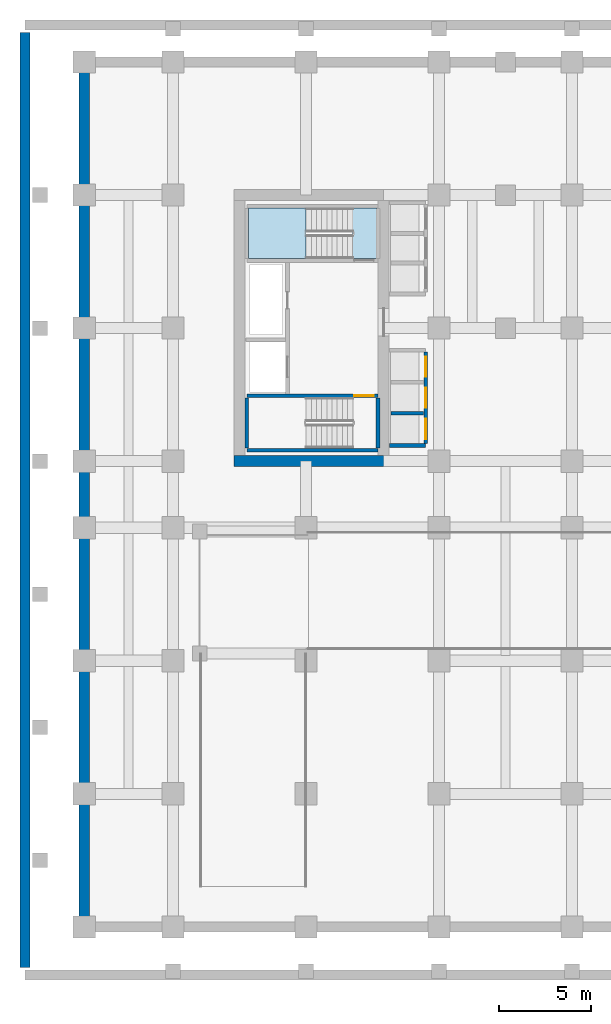
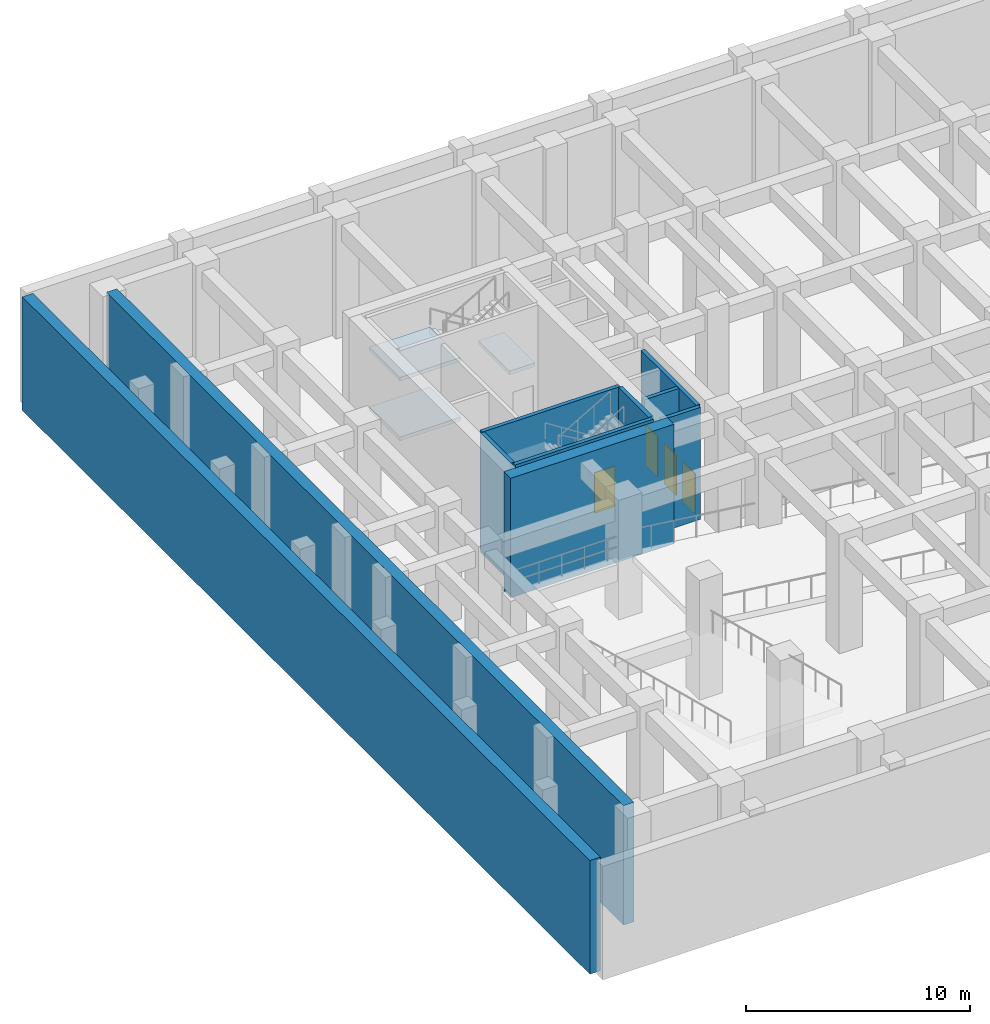
# One storey, part 3 of 13: 10 walls, 4 doors, 3 slabs, 4 openings, 1 element without a shape of its own.
"""IFC4 building model written with IfcOpenShell, lengths in metres."""

from ifc_helpers import new_model, si_unit, derived_unit, direction, frame, frame_2d, origin, place, context, subcontext, project, spatial, polyline, rectangle, outline, extrude, source, transform, mapped, material, layer, layer_set, type_object, type_shapes, element, fill, aggregate, save


model = new_model("IFC4")

# Units and contexts
model_context = context("Model", 3, precision=1e-05, world=origin(), true_north=direction((0.0, 1.0)))
body_context = subcontext(model_context, "Body", "Model", "MODEL_VIEW")
ifc_project = project(units=[si_unit("LENGTHUNIT", "METRE"), si_unit("AREAUNIT", "SQUARE_METRE"), si_unit("VOLUMEUNIT", "CUBIC_METRE"), si_unit("PLANEANGLEUNIT", "RADIAN"), si_unit("MASSUNIT", "GRAM", prefix="KILO"), si_unit("THERMODYNAMICTEMPERATUREUNIT", "KELVIN"), si_unit("POWERUNIT", "WATT"), derived_unit("THERMALTRANSMITTANCEUNIT", [(si_unit("POWERUNIT", "WATT"), 1), (si_unit("AREAUNIT", "SQUARE_METRE"), -1), (si_unit("THERMODYNAMICTEMPERATUREUNIT", "KELVIN"), -1)])], contexts=[model_context])

# Site, building, storey
site_placement = place(None, origin())
site = spatial("IfcSite", under=ifc_project, at=site_placement, CompositionType="ELEMENT")
building_placement = place(site_placement, origin())
building = spatial("IfcBuilding", under=site, at=building_placement, Name="Zahravan Archway Hotel and Residences", CompositionType="ELEMENT")
storey_placement = place(building_placement, frame((0.0, 0.0, -6.5)))
storey = spatial("IfcBuildingStorey", under=building, at=storey_placement, Name="B01", CompositionType="ELEMENT", Elevation=-6.5)

# Stair, slabs
ifc_material_1 = material(Name="Concrete C50/60", Category="concrete")
stair_type = type_object("IfcStairType", Name="STR-CORE-1300", PredefinedType="HALF_TURN_STAIR", material=ifc_material_1)
stair_placement = place(storey_placement, origin())
stair = element("IfcStair", 1, at=stair_placement, inside=storey, type_object=stair_type, Name="B01 Core B Exit Stair 2", PredefinedType="HALF_TURN_STAIR")
ifc_layer_1 = layer(ifc_material_1, 0.199951171875, Name="Concrete C50/60", Category="concrete")
ifc_layer_set_1 = layer_set([ifc_layer_1], Name="Concrete C50/60")
slab_type = type_object("IfcSlabType", Name="SLB-LND-200", PredefinedType="LANDING", material=ifc_layer_set_1)
slab_1_placement = place(storey_placement, frame((0.0, 0.0, 1.425048828125)))
slab_1 = element("IfcSlab", 2, at=slab_1_placement, type_object=slab_type, Name="ST-B2 landing 1", PredefinedType="LANDING", context=body_context, shape_type="SweptSolid", body=[
    extrude(outline(polyline([(7.2099609375, 38.89990234375), (4.10009765625, 38.89990234375), (4.10009765625, 36.159912109375), (7.2099609375, 36.159912109375), (7.2099609375, 38.89990234375)])), origin(), (0.0, 0.0, 1.0), 0.199951171875),
])
slab_2_placement = place(storey_placement, frame((0.0, 0.0, 3.050048828125)))
slab_2 = element("IfcSlab", 3, at=slab_2_placement, type_object=slab_type, Name="ST-B2 landing 2", PredefinedType="LANDING", context=body_context, shape_type="SweptSolid", body=[
    extrude(outline(polyline([(11.050048828125, 38.89990234375), (9.72998046875, 38.89990234375), (9.72998046875, 36.159912109375), (11.050048828125, 36.159912109375), (11.050048828125, 38.89990234375)])), origin(), (0.0, 0.0, 1.0), 0.199951171875),
])
slab_3_placement = place(storey_placement, frame((0.0, 0.0, 4.675048828125)))
slab_3 = element("IfcSlab", 4, at=slab_3_placement, type_object=slab_type, Name="ST-B2 landing 3", PredefinedType="LANDING", context=body_context, shape_type="SweptSolid", body=[
    extrude(outline(polyline([(7.2099609375, 38.89990234375), (4.10009765625, 38.89990234375), (4.10009765625, 36.159912109375), (7.2099609375, 36.159912109375), (7.2099609375, 38.89990234375)])), origin(), (0.0, 0.0, 1.0), 0.199951171875),
])
aggregate(stair, [slab_1, slab_2, slab_3])

# Walls
ifc_layer_2 = layer(ifc_material_1, 0.550048828125, Name="Concrete C50/60", Category="concrete")
ifc_layer_set_2 = layer_set([ifc_layer_2], Name="Concrete C50/60")
wall_type_1 = type_object("IfcWallType", Name="BW-RET-550", PredefinedType="USERDEFINED", material=ifc_layer_set_2)
wall_1_placement = place(storey_placement, frame((-4.800048828125, 46.449951171875, 0.0), z_axis=(0.0, 0.0, 1.0), x_axis=(0.0, -1.0, 0.0)))
element("IfcWall", 5, at=wall_1_placement, inside=storey, type_object=wall_type_1, Name="B01 Basement Retaining W Wall", ObjectType="RETAINING", PredefinedType="USERDEFINED", context=body_context, shape_type="SweptSolid", body=[
    extrude(rectangle(XDim=46.099853515625, YDim=0.550048828125, at=frame_2d((23.0498046875, 0.0))), origin(), (0.0, 0.0, 1.0), 6.5),
])
wall_2_placement = place(storey_placement, frame((-8.0, -2.199951171875, 0.0), z_axis=(0.0, 0.0, 1.0), x_axis=(0.0, 1.0, 0.0)))
element("IfcWall", 6, at=wall_2_placement, inside=storey, type_object=wall_type_1, Name="B01 Forecourt Foundation Wall PW", ObjectType="RETAINING", PredefinedType="USERDEFINED", context=body_context, shape_type="SweptSolid", body=[
    extrude(rectangle(XDim=50.599853515625, YDim=0.550048828125, at=frame_2d((25.2998046875, 0.0))), origin(), (0.0, 0.0, 1.0), 6.179931640625),
])
ifc_material_2 = material(Name="Concrete C70/85", Category="concrete")
ifc_layer_3 = layer(ifc_material_2, 0.60009765625, Name="Concrete C70/85", Category="concrete")
ifc_layer_set_3 = layer_set([ifc_layer_3], Name="Concrete C70/85")
wall_type_2 = type_object("IfcWallType", Name="CW-CORE-600", PredefinedType="SHEAR", material=ifc_layer_set_3)
wall_3_placement = place(storey_placement, frame((3.300048828125, 25.199951171875, 0.0), z_axis=(0.0, 0.0, 1.0), x_axis=(1.0, 0.0, 0.0)))
element("IfcWall", 7, at=wall_3_placement, inside=storey, type_object=wall_type_2, Name="B01 Core B Shear S Wall 600 mm", PredefinedType="SHEAR", context=body_context, shape_type="SweptSolid", body=[
    extrude(rectangle(XDim=8.39990234375, YDim=0.60009765625, at=frame_2d((4.199951171875, 0.0))), origin(), (0.0, 0.0, 1.0), 6.5),
])
ifc_material_3 = material(Name="Fire-Rated Gypsum & Concrete Block", Category="concrete")
ifc_layer_4 = layer(ifc_material_3, 0.199951171875, Name="Fire-Rated Gypsum & Concrete Block", Category="concrete")
ifc_layer_set_4 = layer_set([ifc_layer_4], Name="Fire-Rated Gypsum & Concrete Block")
wall_type_3 = type_object("IfcWallType", Name="PW-SHAFT-200", PredefinedType="PARTITIONING", material=ifc_layer_set_4)
wall_4_placement = place(storey_placement, frame((11.7099609375, 26.050048828125, 0.0), z_axis=(0.0, 0.0, 1.0), x_axis=(1.0, 0.0, 0.0)))
element("IfcWall", 8, at=wall_4_placement, inside=storey, type_object=wall_type_3, Name="B01 Partition B1-S", PredefinedType="PARTITIONING", context=body_context, shape_type="SweptSolid", body=[
    extrude(rectangle(XDim=1.9599609375, YDim=0.199951171875, at=frame_2d((0.97998046875, 0.0))), origin(), (0.0, 0.0, 1.0), 6.10009765625),
])

# Wall, openings, doors
wall_5_placement = place(storey_placement, frame((13.679931640625, 26.159912109375, 0.0), z_axis=(0.0, 0.0, 1.0), x_axis=(0.0, 1.0, 0.0)))
wall_5 = element("IfcWall", 9, at=wall_5_placement, inside=storey, type_object=wall_type_3, Name="B01 Partition B1-E", PredefinedType="PARTITIONING", context=body_context, shape_type="SweptSolid", body=[
    extrude(rectangle(XDim=4.940185546875, YDim=0.199951171875, at=frame_2d((2.47021484375, 0.0))), origin(), (0.0, 0.0, 1.0), 6.10009765625),
])
opening_1_placement = place(wall_5_placement, frame((0.239990234375, 0.0, 0.0)))
opening_1 = element("IfcOpeningElement", 10, at=opening_1_placement, cuts=wall_5, Name="Opening LD", PredefinedType="OPENING", context=body_context, shape_type="SweptSolid", body=[
    extrude(rectangle(XDim=1.10009765625, YDim=2.199951171875, at=frame_2d((0.550048828125, 1.10009765625))), frame((0.0, 0.10986328125, 0.0), z_axis=(0.0, -1.0, 0.0), x_axis=(1.0, 0.0, 0.0)), (0.0, 0.0, 1.0), 0.219970703125),
])
opening_2_placement = place(wall_5_placement, frame((1.919921875, 0.0, 0.0)))
opening_2 = element("IfcOpeningElement", 11, at=opening_2_placement, cuts=wall_5, Name="Opening LD", PredefinedType="OPENING", context=body_context, shape_type="SweptSolid", body=[
    extrude(rectangle(XDim=1.10009765625, YDim=2.199951171875, at=frame_2d((0.550048828125, 1.10009765625))), frame((0.0, 0.10986328125, 0.0), z_axis=(0.0, -1.0, 0.0), x_axis=(1.0, 0.0, 0.0)), (0.0, 0.0, 1.0), 0.219970703125),
])
opening_3_placement = place(wall_5_placement, frame((3.60009765625, 0.0, 0.0)))
opening_3 = element("IfcOpeningElement", 12, at=opening_3_placement, cuts=wall_5, Name="Opening LD", PredefinedType="OPENING", context=body_context, shape_type="SweptSolid", body=[
    extrude(rectangle(XDim=1.10009765625, YDim=2.199951171875, at=frame_2d((0.550048828125, 1.10009765625))), frame((0.0, 0.10986328125, 0.0), z_axis=(0.0, -1.0, 0.0), x_axis=(1.0, 0.0, 0.0)), (0.0, 0.0, 1.0), 0.219970703125),
])
ifc_material_4 = material(Name="Brushed Stainless Steel", Category="steel")
door_type_1 = type_object("IfcDoorType", Name="DR-LIFT-LD", OperationType="SLIDING_TO_LEFT", PredefinedType="DOOR", material=ifc_material_4)
shared_shape_1 = source(origin(), body_context, "Body", "SweptSolid", [
    extrude(rectangle(XDim=1.10009765625, YDim=2.199951171875, at=frame_2d((0.550048828125, 1.10009765625))), frame((0.0, 0.02490234375, 0.0), z_axis=(0.0, -1.0, 0.0), x_axis=(1.0, 0.0, 0.0)), (0.0, 0.0, 1.0), 0.050048828125),
])
type_shapes(door_type_1, [shared_shape_1])
door_1_placement = place(opening_1_placement, origin())
door_1 = element("IfcDoor", 13, at=door_1_placement, inside=storey, type_object=door_type_1, Name="B01 Lift LP-1 Sliding Landing Door", OperationType="SLIDING_TO_LEFT", OverallHeight=2.199951171875, OverallWidth=1.10009765625, PredefinedType="DOOR", context=body_context, shape_type="MappedRepresentation", body=[
    mapped(shared_shape_1, transform((0.0, 0.0, 0.0), scale=1.0)),
])
fill(opening_1, door_1)
door_2_placement = place(opening_2_placement, origin())
door_2 = element("IfcDoor", 14, at=door_2_placement, inside=storey, type_object=door_type_1, Name="B01 Lift LP-2 Sliding Landing Door", OperationType="SLIDING_TO_LEFT", OverallHeight=2.199951171875, OverallWidth=1.10009765625, PredefinedType="DOOR", context=body_context, shape_type="MappedRepresentation", body=[
    mapped(shared_shape_1, transform((0.0, 0.0, 0.0), scale=1.0)),
])
fill(opening_2, door_2)
door_3_placement = place(opening_3_placement, origin())
door_3 = element("IfcDoor", 15, at=door_3_placement, inside=storey, type_object=door_type_1, Name="B01 Lift LP-3 Sliding Landing Door", OperationType="SLIDING_TO_LEFT", OverallHeight=2.199951171875, OverallWidth=1.10009765625, PredefinedType="DOOR", context=body_context, shape_type="MappedRepresentation", body=[
    mapped(shared_shape_1, transform((0.0, 0.0, 0.0), scale=1.0)),
])
fill(opening_3, door_3)

# Walls
wall_6_placement = place(storey_placement, frame((11.81005859375, 27.7900390625, 0.0), z_axis=(0.0, 0.0, 1.0), x_axis=(1.0, 0.0, 0.0)))
element("IfcWall", 16, at=wall_6_placement, inside=storey, type_object=wall_type_3, Name="B01 Partition B1-D", PredefinedType="PARTITIONING", context=body_context, shape_type="SweptSolid", body=[
    extrude(rectangle(XDim=1.760009765625, YDim=0.199951171875, at=frame_2d((0.8798828125, 0.0))), origin(), (0.0, 0.0, 1.0), 6.10009765625),
])
ifc_layer_5 = layer(ifc_material_1, 0.199951171875, Name="Concrete C50/60", Category="concrete")
ifc_layer_set_5 = layer_set([ifc_layer_5], Name="Concrete C50/60")
wall_type_4 = type_object("IfcWallType", Name="SW-STAIR-200", PredefinedType="SHEAR", material=ifc_layer_set_5)
wall_7_placement = place(storey_placement, frame((4.0, 25.800048828125, 0.0), z_axis=(0.0, 0.0, 1.0), x_axis=(1.0, 0.0, 0.0)))
element("IfcWall", 17, at=wall_7_placement, inside=storey, type_object=wall_type_4, Name="B01 Stairwell RC Wall CB-SB1S", PredefinedType="SHEAR", context=body_context, shape_type="SweptSolid", body=[
    extrude(rectangle(XDim=7.10009765625, YDim=0.199951171875, at=frame_2d((3.550048828125, 0.0))), origin(), (0.0, 0.0, 1.0), 6.5),
])
for number, where, z_axis, x_axis, name in (
    (18, (4.0, 25.919921875, 0.0), (0.0, 0.0, 1.0), (0.0, 1.0, 0.0), "B01 Stairwell RC Wall CB-SB1W"),
    (19, (11.10009765625, 25.919921875, 0.0), (0.0, 0.0, 1.0), (0.0, 1.0, 0.0), "B01 Stairwell RC Wall CB-SB1E"),
):
    element("IfcWall", number, at=place(storey_placement, frame(where, z_axis=z_axis, x_axis=x_axis)), inside=storey, type_object=wall_type_4, Name=name, PredefinedType="SHEAR", context=body_context, shape_type="SweptSolid", body=[
        extrude(rectangle(XDim=2.7001953125, YDim=0.199951171875, at=frame_2d((1.35009765625, 0.0))), origin(), (0.0, 0.0, 1.0), 6.5),
    ])

# Wall, opening, door
wall_8_placement = place(storey_placement, frame((4.0, 28.739990234375, 0.0), z_axis=(0.0, 0.0, 1.0), x_axis=(1.0, 0.0, 0.0)))
wall_8 = element("IfcWall", 20, at=wall_8_placement, inside=storey, type_object=wall_type_4, Name="B01 Stairwell RC Wall CB-SB1N", PredefinedType="SHEAR", context=body_context, shape_type="SweptSolid", body=[
    extrude(rectangle(XDim=7.10009765625, YDim=0.199951171875, at=frame_2d((3.550048828125, 0.0))), origin(), (0.0, 0.0, 1.0), 6.5),
])
opening_4_placement = place(wall_8_placement, frame((5.81494140625, 0.0, 0.0)))
opening_4 = element("IfcOpeningElement", 21, at=opening_4_placement, cuts=wall_8, Name="Opening FD-S1", PredefinedType="OPENING", context=body_context, shape_type="SweptSolid", body=[
    extrude(rectangle(XDim=1.050048828125, YDim=2.199951171875, at=frame_2d((0.52490234375, 1.10009765625))), frame((0.0, 0.10986328125, 0.0), z_axis=(0.0, -1.0, 0.0), x_axis=(1.0, 0.0, 0.0)), (0.0, 0.0, 1.0), 0.219970703125),
])
ifc_material_5 = material(Name="Fire-Rated Painted Steel", Category="steel")
door_type_2 = type_object("IfcDoorType", Name="FD-STAIR-1100", OperationType="NOTDEFINED", PredefinedType="DOOR", material=ifc_material_5)
shared_shape_2 = source(origin(), body_context, "Body", "SweptSolid", [
    extrude(rectangle(XDim=1.050048828125, YDim=2.199951171875, at=frame_2d((0.52490234375, 1.10009765625))), frame((0.0, 0.02490234375, 0.0), z_axis=(0.0, -1.0, 0.0), x_axis=(1.0, 0.0, 0.0)), (0.0, 0.0, 1.0), 0.050048828125),
])
type_shapes(door_type_2, [shared_shape_2])
door_4_placement = place(opening_4_placement, origin())
door_4 = element("IfcDoor", 22, at=door_4_placement, inside=storey, type_object=door_type_2, Name="B01 Stair ST-B1 Door", OperationType="SINGLE_SWING_LEFT", OverallHeight=2.199951171875, OverallWidth=1.050048828125, PredefinedType="DOOR", context=body_context, shape_type="MappedRepresentation", body=[
    mapped(shared_shape_2, transform((0.0, 0.0, 0.0), scale=1.0)),
])
fill(opening_4, door_4)

save(model, "model.ifc")
